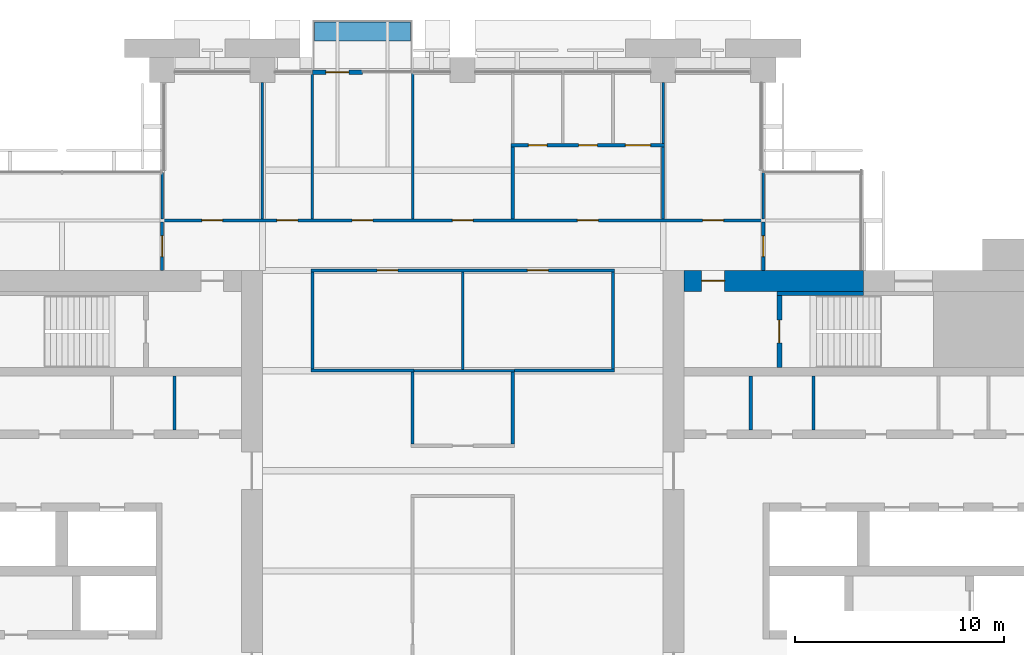
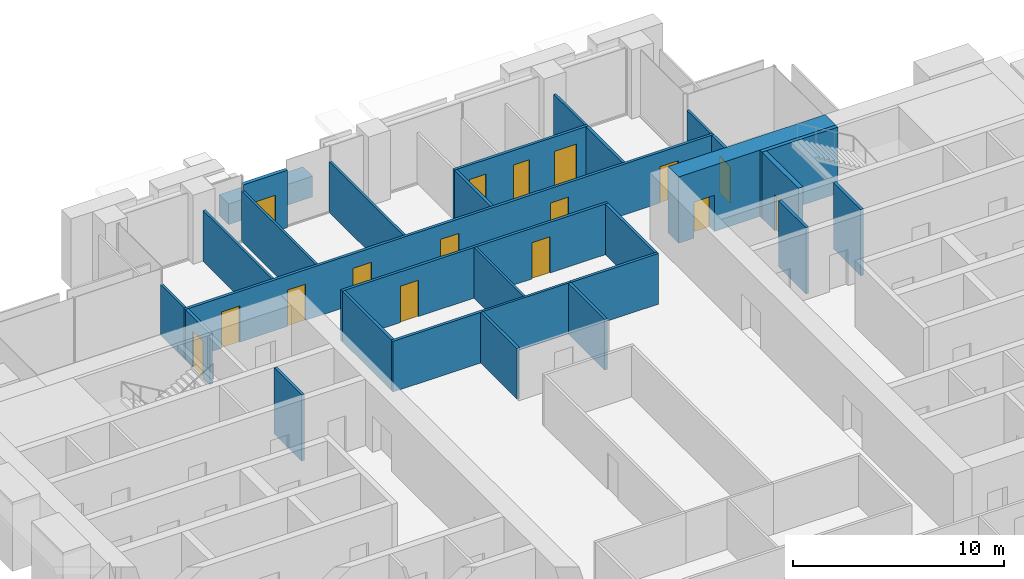
# One storey, part 12 of 15: 29 walls, 16 doors, 16 openings.
"""IFC4 building model written with IfcOpenShell, lengths in metres."""

from ifc_helpers import new_model, si_unit, direction, frame, frame_2d, origin, place, context, subcontext, project, spatial, rectangle, extrude, material, layer, layer_set, type_object, element, fill, save


model = new_model("IFC4")

# Units and contexts
model_context = context("Model", 3, precision=1e-05, world=origin(), true_north=direction((0.0, 1.0)))
body_context = subcontext(model_context, "Body", "Model", "MODEL_VIEW")
ifc_project = project(units=[si_unit("LENGTHUNIT", "METRE"), si_unit("AREAUNIT", "SQUARE_METRE"), si_unit("VOLUMEUNIT", "CUBIC_METRE"), si_unit("PLANEANGLEUNIT", "RADIAN"), si_unit("MASSUNIT", "GRAM", prefix="KILO")], contexts=[model_context])

# Site, building, storey
site_placement = place(None, origin())
site = spatial("IfcSite", under=ifc_project, at=site_placement, CompositionType="ELEMENT")
building_placement = place(site_placement, origin())
building = spatial("IfcBuilding", under=site, at=building_placement, Name="Baori Bourse Tower", CompositionType="ELEMENT")
storey_placement = place(building_placement, frame((0.0, 0.0, 152.10009765625)))
storey = spatial("IfcBuildingStorey", under=building, at=storey_placement, Name="L33", CompositionType="ELEMENT", Elevation=152.10009765625)

# Walls
ifc_material_1 = material(Name="Blockwork partition", Category="masonry")
ifc_layer_1 = layer(ifc_material_1, 0.14990234375)
ifc_layer_set_1 = layer_set([ifc_layer_1], Name="Core partition 150")
wall_type_1 = type_object("IfcWallType", Name="Core partition 150", PredefinedType="PARTITIONING", material=ifc_layer_set_1)
for number, where, z_axis, x_axis, name in (
    (1, (15.0, 30.75, 0.0), (0.0, 0.0, 1.0), (0.0, 1.0, 0.0), "Partition wall W26"),
    (2, (45.60009765625, 30.75, 0.0), (0.0, 0.0, 1.0), (0.0, 1.0, 0.0), "Partition wall E25"),
    (3, (42.60009765625, 30.75, 0.0), (0.0, 0.0, 1.0), (0.0, 1.0, 0.0), "Partition wall E26"),
):
    element("IfcWall", number, at=place(storey_placement, frame(where, z_axis=z_axis, x_axis=x_axis)), inside=storey, type_object=wall_type_1, Name=name, PredefinedType="PARTITIONING", context=body_context, shape_type="SweptSolid", body=[
        extrude(rectangle(XDim=2.60009765625, YDim=0.14990234375, at=frame_2d((1.300048828125, 0.0))), origin(), (0.0, 0.0, 1.0), 3.83984375),
    ])

# Wall, opening, door
ifc_material_2 = material(Name="Concrete f'c 60 MPa", Category="concrete")
ifc_layer_2 = layer(ifc_material_2, 1.0)
ifc_layer_set_2 = layer_set([ifc_layer_2], Name="Core wall 1000 f'c 60")
wall_type_2 = type_object("IfcWallType", Name="Core wall 1000 f'c 60", PredefinedType="SHEAR", material=ifc_layer_set_2)
wall_1_placement = place(storey_placement, frame((39.39990234375, 37.89990234375, 0.0), z_axis=(0.0, 0.0, 1.0), x_axis=(1.0, 0.0, 0.0)))
wall_1 = element("IfcWall", 4, at=wall_1_placement, inside=storey, type_object=wall_type_2, Name="Core wall E33", PredefinedType="SHEAR", context=body_context, shape_type="SweptSolid", body=[
    extrude(rectangle(XDim=8.60009765625, YDim=1.0, at=frame_2d((4.300048828125, 0.0))), origin(), (0.0, 0.0, 1.0), 3.83984375),
])
opening_1_placement = place(wall_1_placement, frame((0.85009765625, 0.0, 0.0)))
opening_1 = element("IfcOpeningElement", 5, at=opening_1_placement, cuts=wall_1, Name="Opening L33-D204", PredefinedType="OPENING", context=body_context, shape_type="SweptSolid", body=[
    extrude(rectangle(XDim=1.10009765625, YDim=2.10009765625, at=frame_2d((0.550048828125, 1.050048828125))), frame((0.0, 0.510009765625, 0.0), z_axis=(0.0, -1.0, 0.0), x_axis=(1.0, 0.0, 0.0)), (0.0, 0.0, 1.0), 1.02001953125),
])
ifc_material_3 = material(Name="Painted steel door", Category="steel")
door_type_1 = type_object("IfcDoorType", Name="Stair door 1100", OperationType="SINGLE_SWING_LEFT", PredefinedType="DOOR", material=ifc_material_3)
door_1_placement = place(opening_1_placement, origin())
door_1 = element("IfcDoor", 6, at=door_1_placement, inside=storey, type_object=door_type_1, Name="Stair vestibule door B E L33", OperationType="SINGLE_SWING_LEFT", OverallHeight=2.10009765625, OverallWidth=1.10009765625, PredefinedType="DOOR", context=body_context, shape_type="SweptSolid", body=[
    extrude(rectangle(XDim=1.10009765625, YDim=2.10009765625, at=frame_2d((0.550048828125, 1.050048828125))), frame((0.0, 0.02490234375, 0.0), z_axis=(0.0, -1.0, 0.0), x_axis=(1.0, 0.0, 0.0)), (0.0, 0.0, 1.0), 0.050048828125),
])
fill(opening_1, door_1)

# Walls
ifc_material_4 = material(Name="Gypsum board partition")
ifc_layer_3 = layer(ifc_material_4, 0.14990234375)
ifc_layer_set_3 = layer_set([ifc_layer_3], Name="Corridor partition 150")
wall_type_3 = type_object("IfcWallType", Name="Corridor partition 150", PredefinedType="PARTITIONING", material=ifc_layer_set_3)
wall_2_placement = place(storey_placement, frame((21.52490234375, 33.60009765625, 0.0), z_axis=(0.0, 0.0, 1.0), x_axis=(1.0, 0.0, 0.0)))
element("IfcWall", 7, at=wall_2_placement, inside=storey, type_object=wall_type_3, Name="Partition", PredefinedType="PARTITIONING", context=body_context, shape_type="SweptSolid", body=[
    extrude(rectangle(XDim=4.9501953125, YDim=0.14990234375, at=frame_2d((2.47509765625, 0.0))), origin(), (0.0, 0.0, 1.0), 2.935546875),
])
wall_3_placement = place(storey_placement, frame((31.27490234375, 33.60009765625, 0.0), z_axis=(0.0, 0.0, 1.0), x_axis=(1.0, 0.0, 0.0)))
element("IfcWall", 8, at=wall_3_placement, inside=storey, type_object=wall_type_3, Name="Partition", PredefinedType="PARTITIONING", context=body_context, shape_type="SweptSolid", body=[
    extrude(rectangle(XDim=4.800048828125, YDim=0.14990234375, at=frame_2d((2.39990234375, 0.0))), origin(), (0.0, 0.0, 1.0), 2.935546875),
])

# Wall, openings, doors
wall_4_placement = place(storey_placement, frame((21.52490234375, 38.39990234375, 0.0), z_axis=(0.0, 0.0, 1.0), x_axis=(1.0, 0.0, 0.0)))
wall_4 = element("IfcWall", 9, at=wall_4_placement, inside=storey, type_object=wall_type_3, Name="Partition", PredefinedType="PARTITIONING", context=body_context, shape_type="SweptSolid", body=[
    extrude(rectangle(XDim=14.550048828125, YDim=0.14990234375, at=frame_2d((7.27490234375, 0.0))), origin(), (0.0, 0.0, 1.0), 2.935546875),
])
opening_2_placement = place(wall_4_placement, frame((3.175048828125, 0.0, 0.0)))
opening_2 = element("IfcOpeningElement", 10, at=opening_2_placement, cuts=wall_4, Name="Opening L33-D10", PredefinedType="OPENING", context=body_context, shape_type="SweptSolid", body=[
    extrude(rectangle(XDim=1.0, YDim=2.10009765625, at=frame_2d((0.5, 1.050048828125))), frame((0.0, 0.0849609375, 0.0), z_axis=(0.0, -1.0, 0.0), x_axis=(1.0, 0.0, 0.0)), (0.0, 0.0, 1.0), 0.169921875),
])
opening_3_placement = place(wall_4_placement, frame((10.375, 0.0, 0.0)))
opening_3 = element("IfcOpeningElement", 11, at=opening_3_placement, cuts=wall_4, Name="Opening L33-D11", PredefinedType="OPENING", context=body_context, shape_type="SweptSolid", body=[
    extrude(rectangle(XDim=1.0, YDim=2.10009765625, at=frame_2d((0.5, 1.050048828125))), frame((0.0, 0.0849609375, 0.0), z_axis=(0.0, -1.0, 0.0), x_axis=(1.0, 0.0, 0.0)), (0.0, 0.0, 1.0), 0.169921875),
])
ifc_material_5 = material(Name="Timber door leaf", Category="wood")
door_type_2 = type_object("IfcDoorType", Name="Door 1000 x 2100", OperationType="SINGLE_SWING_LEFT", PredefinedType="DOOR", material=ifc_material_5)
door_2_placement = place(opening_2_placement, origin())
door_2 = element("IfcDoor", 12, at=door_2_placement, inside=storey, type_object=door_type_2, Name="Door", OperationType="SINGLE_SWING_LEFT", OverallHeight=2.10009765625, OverallWidth=1.0, PredefinedType="DOOR", context=body_context, shape_type="SweptSolid", body=[
    extrude(rectangle(XDim=1.0, YDim=2.10009765625, at=frame_2d((0.5, 1.050048828125))), frame((0.0, 0.02490234375, 0.0), z_axis=(0.0, -1.0, 0.0), x_axis=(1.0, 0.0, 0.0)), (0.0, 0.0, 1.0), 0.050048828125),
])
fill(opening_2, door_2)
door_3_placement = place(opening_3_placement, origin())
door_3 = element("IfcDoor", 13, at=door_3_placement, inside=storey, type_object=door_type_2, Name="Door", OperationType="SINGLE_SWING_RIGHT", OverallHeight=2.10009765625, OverallWidth=1.0, PredefinedType="DOOR", context=body_context, shape_type="SweptSolid", body=[
    extrude(rectangle(XDim=1.0, YDim=2.10009765625, at=frame_2d((0.5, 1.050048828125))), frame((0.0, 0.02490234375, 0.0), z_axis=(0.0, -1.0, 0.0), x_axis=(1.0, 0.0, 0.0)), (0.0, 0.0, 1.0), 0.050048828125),
])
fill(opening_3, door_3)

wall_5_placement = place(storey_placement, frame((14.324951171875, 40.800048828125, 0.0), z_axis=(0.0, 0.0, 1.0), x_axis=(1.0, 0.0, 0.0)))
wall_5 = element("IfcWall", 14, at=wall_5_placement, inside=storey, type_object=wall_type_3, Name="Partition", PredefinedType="PARTITIONING", context=body_context, shape_type="SweptSolid", body=[
    extrude(rectangle(XDim=28.949951171875, YDim=0.14990234375, at=frame_2d((14.47509765625, 0.0))), origin(), (0.0, 0.0, 1.0), 2.935546875),
])
opening_4_placement = place(wall_5_placement, frame((1.97509765625, 0.0, 0.0)))
opening_4 = element("IfcOpeningElement", 15, at=opening_4_placement, cuts=wall_5, Name="Opening L33-D12", PredefinedType="OPENING", context=body_context, shape_type="SweptSolid", body=[
    extrude(rectangle(XDim=1.0, YDim=2.10009765625, at=frame_2d((0.5, 1.050048828125))), frame((0.0, 0.0849609375, 0.0), z_axis=(0.0, -1.0, 0.0), x_axis=(1.0, 0.0, 0.0)), (0.0, 0.0, 1.0), 0.169921875),
])
opening_5_placement = place(wall_5_placement, frame((5.574951171875, 0.0, 0.0)))
opening_5 = element("IfcOpeningElement", 16, at=opening_5_placement, cuts=wall_5, Name="Opening L33-D13", PredefinedType="OPENING", context=body_context, shape_type="SweptSolid", body=[
    extrude(rectangle(XDim=1.0, YDim=2.10009765625, at=frame_2d((0.5, 1.050048828125))), frame((0.0, 0.0849609375, 0.0), z_axis=(0.0, -1.0, 0.0), x_axis=(1.0, 0.0, 0.0)), (0.0, 0.0, 1.0), 0.169921875),
])
opening_6_placement = place(wall_5_placement, frame((9.175048828125, 0.0, 0.0)))
opening_6 = element("IfcOpeningElement", 17, at=opening_6_placement, cuts=wall_5, Name="Opening L33-D14", PredefinedType="OPENING", context=body_context, shape_type="SweptSolid", body=[
    extrude(rectangle(XDim=1.0, YDim=2.10009765625, at=frame_2d((0.5, 1.050048828125))), frame((0.0, 0.0849609375, 0.0), z_axis=(0.0, -1.0, 0.0), x_axis=(1.0, 0.0, 0.0)), (0.0, 0.0, 1.0), 0.169921875),
])
opening_7_placement = place(wall_5_placement, frame((13.97509765625, 0.0, 0.0)))
opening_7 = element("IfcOpeningElement", 18, at=opening_7_placement, cuts=wall_5, Name="Opening L33-D15", PredefinedType="OPENING", context=body_context, shape_type="SweptSolid", body=[
    extrude(rectangle(XDim=1.0, YDim=2.10009765625, at=frame_2d((0.5, 1.050048828125))), frame((0.0, 0.0849609375, 0.0), z_axis=(0.0, -1.0, 0.0), x_axis=(1.0, 0.0, 0.0)), (0.0, 0.0, 1.0), 0.169921875),
])
opening_8_placement = place(wall_5_placement, frame((19.97509765625, 0.0, 0.0)))
opening_8 = element("IfcOpeningElement", 19, at=opening_8_placement, cuts=wall_5, Name="Opening L33-D16", PredefinedType="OPENING", context=body_context, shape_type="SweptSolid", body=[
    extrude(rectangle(XDim=1.0, YDim=2.10009765625, at=frame_2d((0.5, 1.050048828125))), frame((0.0, 0.0849609375, 0.0), z_axis=(0.0, -1.0, 0.0), x_axis=(1.0, 0.0, 0.0)), (0.0, 0.0, 1.0), 0.169921875),
])
opening_9_placement = place(wall_5_placement, frame((25.97509765625, 0.0, 0.0)))
opening_9 = element("IfcOpeningElement", 20, at=opening_9_placement, cuts=wall_5, Name="Opening L33-D17", PredefinedType="OPENING", context=body_context, shape_type="SweptSolid", body=[
    extrude(rectangle(XDim=1.0, YDim=2.10009765625, at=frame_2d((0.5, 1.050048828125))), frame((0.0, 0.0849609375, 0.0), z_axis=(0.0, -1.0, 0.0), x_axis=(1.0, 0.0, 0.0)), (0.0, 0.0, 1.0), 0.169921875),
])
door_4_placement = place(opening_4_placement, origin())
door_4 = element("IfcDoor", 21, at=door_4_placement, inside=storey, type_object=door_type_2, Name="Door", OperationType="SINGLE_SWING_RIGHT", OverallHeight=2.10009765625, OverallWidth=1.0, PredefinedType="DOOR", context=body_context, shape_type="SweptSolid", body=[
    extrude(rectangle(XDim=1.0, YDim=2.10009765625, at=frame_2d((0.5, 1.050048828125))), frame((0.0, 0.02490234375, 0.0), z_axis=(0.0, -1.0, 0.0), x_axis=(1.0, 0.0, 0.0)), (0.0, 0.0, 1.0), 0.050048828125),
])
fill(opening_4, door_4)
door_5_placement = place(opening_5_placement, origin())
door_5 = element("IfcDoor", 22, at=door_5_placement, inside=storey, type_object=door_type_2, Name="Door", OperationType="SINGLE_SWING_RIGHT", OverallHeight=2.10009765625, OverallWidth=1.0, PredefinedType="DOOR", context=body_context, shape_type="SweptSolid", body=[
    extrude(rectangle(XDim=1.0, YDim=2.10009765625, at=frame_2d((0.5, 1.050048828125))), frame((0.0, 0.02490234375, 0.0), z_axis=(0.0, -1.0, 0.0), x_axis=(1.0, 0.0, 0.0)), (0.0, 0.0, 1.0), 0.050048828125),
])
fill(opening_5, door_5)
door_6_placement = place(opening_6_placement, origin())
door_6 = element("IfcDoor", 23, at=door_6_placement, inside=storey, type_object=door_type_2, Name="Door", OperationType="SINGLE_SWING_RIGHT", OverallHeight=2.10009765625, OverallWidth=1.0, PredefinedType="DOOR", context=body_context, shape_type="SweptSolid", body=[
    extrude(rectangle(XDim=1.0, YDim=2.10009765625, at=frame_2d((0.5, 1.050048828125))), frame((0.0, 0.02490234375, 0.0), z_axis=(0.0, -1.0, 0.0), x_axis=(1.0, 0.0, 0.0)), (0.0, 0.0, 1.0), 0.050048828125),
])
fill(opening_6, door_6)
door_7_placement = place(opening_7_placement, origin())
door_7 = element("IfcDoor", 24, at=door_7_placement, inside=storey, type_object=door_type_2, Name="Door", OperationType="SINGLE_SWING_LEFT", OverallHeight=2.10009765625, OverallWidth=1.0, PredefinedType="DOOR", context=body_context, shape_type="SweptSolid", body=[
    extrude(rectangle(XDim=1.0, YDim=2.10009765625, at=frame_2d((0.5, 1.050048828125))), frame((0.0, 0.02490234375, 0.0), z_axis=(0.0, -1.0, 0.0), x_axis=(1.0, 0.0, 0.0)), (0.0, 0.0, 1.0), 0.050048828125),
])
fill(opening_7, door_7)
door_8_placement = place(opening_8_placement, origin())
door_8 = element("IfcDoor", 25, at=door_8_placement, inside=storey, type_object=door_type_2, Name="Door", OperationType="SINGLE_SWING_RIGHT", OverallHeight=2.10009765625, OverallWidth=1.0, PredefinedType="DOOR", context=body_context, shape_type="SweptSolid", body=[
    extrude(rectangle(XDim=1.0, YDim=2.10009765625, at=frame_2d((0.5, 1.050048828125))), frame((0.0, 0.02490234375, 0.0), z_axis=(0.0, -1.0, 0.0), x_axis=(1.0, 0.0, 0.0)), (0.0, 0.0, 1.0), 0.050048828125),
])
fill(opening_8, door_8)
door_9_placement = place(opening_9_placement, origin())
door_9 = element("IfcDoor", 26, at=door_9_placement, inside=storey, type_object=door_type_2, Name="Door", OperationType="SINGLE_SWING_LEFT", OverallHeight=2.10009765625, OverallWidth=1.0, PredefinedType="DOOR", context=body_context, shape_type="SweptSolid", body=[
    extrude(rectangle(XDim=1.0, YDim=2.10009765625, at=frame_2d((0.5, 1.050048828125))), frame((0.0, 0.02490234375, 0.0), z_axis=(0.0, -1.0, 0.0), x_axis=(1.0, 0.0, 0.0)), (0.0, 0.0, 1.0), 0.050048828125),
])
fill(opening_9, door_9)

wall_6_placement = place(storey_placement, frame((31.125, 44.39990234375, 0.0), z_axis=(0.0, 0.0, 1.0), x_axis=(1.0, 0.0, 0.0)))
wall_6 = element("IfcWall", 27, at=wall_6_placement, inside=storey, type_object=wall_type_3, Name="Partition", PredefinedType="PARTITIONING", context=body_context, shape_type="SweptSolid", body=[
    extrude(rectangle(XDim=7.35009765625, YDim=0.14990234375, at=frame_2d((3.675048828125, 0.0))), origin(), (0.0, 0.0, 1.0), 2.935546875),
])
opening_10_placement = place(wall_6_placement, frame((0.824951171875, 0.0, 0.0)))
opening_10 = element("IfcOpeningElement", 28, at=opening_10_placement, cuts=wall_6, Name="Opening L33-D18", PredefinedType="OPENING", context=body_context, shape_type="SweptSolid", body=[
    extrude(rectangle(XDim=0.89990234375, YDim=2.10009765625, at=frame_2d((0.449951171875, 1.050048828125))), frame((0.0, 0.0849609375, 0.0), z_axis=(0.0, -1.0, 0.0), x_axis=(1.0, 0.0, 0.0)), (0.0, 0.0, 1.0), 0.169921875),
])
opening_11_placement = place(wall_6_placement, frame((3.22509765625, 0.0, 0.0)))
opening_11 = element("IfcOpeningElement", 29, at=opening_11_placement, cuts=wall_6, Name="Opening L33-D19", PredefinedType="OPENING", context=body_context, shape_type="SweptSolid", body=[
    extrude(rectangle(XDim=0.89990234375, YDim=2.10009765625, at=frame_2d((0.449951171875, 1.050048828125))), frame((0.0, 0.0849609375, 0.0), z_axis=(0.0, -1.0, 0.0), x_axis=(1.0, 0.0, 0.0)), (0.0, 0.0, 1.0), 0.169921875),
])
opening_12_placement = place(wall_6_placement, frame((5.47509765625, 0.0, 0.0)))
opening_12 = element("IfcOpeningElement", 30, at=opening_12_placement, cuts=wall_6, Name="Opening L33-D20", PredefinedType="OPENING", context=body_context, shape_type="SweptSolid", body=[
    extrude(rectangle(XDim=1.199951171875, YDim=2.10009765625, at=frame_2d((0.60009765625, 1.050048828125))), frame((0.0, 0.0849609375, 0.0), z_axis=(0.0, -1.0, 0.0), x_axis=(1.0, 0.0, 0.0)), (0.0, 0.0, 1.0), 0.169921875),
])
ifc_material_6 = material(Name="Timber door leaf", Category="wood")
door_type_3 = type_object("IfcDoorType", Name="Door 1200 x 2100", OperationType="SINGLE_SWING_LEFT", PredefinedType="DOOR", material=ifc_material_6)
door_10_placement = place(opening_12_placement, origin())
door_10 = element("IfcDoor", 31, at=door_10_placement, inside=storey, type_object=door_type_3, Name="Door", OperationType="SINGLE_SWING_LEFT", OverallHeight=2.10009765625, OverallWidth=1.199951171875, PredefinedType="DOOR", context=body_context, shape_type="SweptSolid", body=[
    extrude(rectangle(XDim=1.199951171875, YDim=2.10009765625, at=frame_2d((0.60009765625, 1.050048828125))), frame((0.0, 0.02490234375, 0.0), z_axis=(0.0, -1.0, 0.0), x_axis=(1.0, 0.0, 0.0)), (0.0, 0.0, 1.0), 0.050048828125),
])
fill(opening_12, door_10)
ifc_material_7 = material(Name="Timber door leaf", Category="wood")
door_type_4 = type_object("IfcDoorType", Name="Door 900 x 2100", OperationType="SINGLE_SWING_LEFT", PredefinedType="DOOR", material=ifc_material_7)
door_11_placement = place(opening_10_placement, origin())
door_11 = element("IfcDoor", 32, at=door_11_placement, inside=storey, type_object=door_type_4, Name="Door", OperationType="SINGLE_SWING_RIGHT", OverallHeight=2.10009765625, OverallWidth=0.89990234375, PredefinedType="DOOR", context=body_context, shape_type="SweptSolid", body=[
    extrude(rectangle(XDim=0.89990234375, YDim=2.10009765625, at=frame_2d((0.449951171875, 1.050048828125))), frame((0.0, 0.02490234375, 0.0), z_axis=(0.0, -1.0, 0.0), x_axis=(1.0, 0.0, 0.0)), (0.0, 0.0, 1.0), 0.050048828125),
])
fill(opening_10, door_11)
door_12_placement = place(opening_11_placement, origin())
door_12 = element("IfcDoor", 33, at=door_12_placement, inside=storey, type_object=door_type_4, Name="Door", OperationType="SINGLE_SWING_RIGHT", OverallHeight=2.10009765625, OverallWidth=0.89990234375, PredefinedType="DOOR", context=body_context, shape_type="SweptSolid", body=[
    extrude(rectangle(XDim=0.89990234375, YDim=2.10009765625, at=frame_2d((0.449951171875, 1.050048828125))), frame((0.0, 0.02490234375, 0.0), z_axis=(0.0, -1.0, 0.0), x_axis=(1.0, 0.0, 0.0)), (0.0, 0.0, 1.0), 0.050048828125),
])
fill(opening_11, door_12)

# Wall, opening, door
wall_7_placement = place(storey_placement, frame((14.39990234375, 38.39990234375, 0.0), z_axis=(0.0, 0.0, 1.0), x_axis=(0.0, 1.0, 0.0)))
wall_7 = element("IfcWall", 34, at=wall_7_placement, inside=storey, type_object=wall_type_3, Name="Partition", PredefinedType="PARTITIONING", context=body_context, shape_type="SweptSolid", body=[
    extrude(rectangle(XDim=2.3251953125, YDim=0.14990234375, at=frame_2d((1.16259765625, 0.0))), origin(), (0.0, 0.0, 1.0), 2.935546875),
])
opening_13_placement = place(wall_7_placement, frame((0.66259765625, 0.0, 0.0)))
opening_13 = element("IfcOpeningElement", 35, at=opening_13_placement, cuts=wall_7, Name="Opening L33-D22", PredefinedType="OPENING", context=body_context, shape_type="SweptSolid", body=[
    extrude(rectangle(XDim=1.0, YDim=2.10009765625, at=frame_2d((0.5, 1.050048828125))), frame((0.0, 0.0849609375, 0.0), z_axis=(0.0, -1.0, 0.0), x_axis=(1.0, 0.0, 0.0)), (0.0, 0.0, 1.0), 0.169921875),
])
door_13_placement = place(opening_13_placement, origin())
door_13 = element("IfcDoor", 36, at=door_13_placement, inside=storey, type_object=door_type_2, Name="Door", OperationType="SINGLE_SWING_RIGHT", OverallHeight=2.10009765625, OverallWidth=1.0, PredefinedType="DOOR", context=body_context, shape_type="SweptSolid", body=[
    extrude(rectangle(XDim=1.0, YDim=2.10009765625, at=frame_2d((0.5, 1.050048828125))), frame((0.0, 0.02490234375, 0.0), z_axis=(0.0, -1.0, 0.0), x_axis=(1.0, 0.0, 0.0)), (0.0, 0.0, 1.0), 0.050048828125),
])
fill(opening_13, door_13)

# Walls
wall_8_placement = place(storey_placement, frame((21.60009765625, 33.675048828125, 0.0), z_axis=(0.0, 0.0, 1.0), x_axis=(0.0, 1.0, 0.0)))
element("IfcWall", 37, at=wall_8_placement, inside=storey, type_object=wall_type_3, Name="Partition", PredefinedType="PARTITIONING", context=body_context, shape_type="SweptSolid", body=[
    extrude(rectangle(XDim=4.64990234375, YDim=0.14990234375, at=frame_2d((2.324951171875, 0.0))), origin(), (0.0, 0.0, 1.0), 2.935546875),
])
for number, where, z_axis, x_axis, name in (
    (38, (26.39990234375, 30.074951171875, 0.0), (0.0, 0.0, 1.0), (0.0, 1.0, 0.0), "Partition"),
    (39, (31.199951171875, 30.074951171875, 0.0), (0.0, 0.0, 1.0), (0.0, 1.0, 0.0), "Partition"),
    (40, (31.199951171875, 40.875, 0.0), (0.0, 0.0, 1.0), (0.0, 1.0, 0.0), "Partition"),
):
    element("IfcWall", number, at=place(storey_placement, frame(where, z_axis=z_axis, x_axis=x_axis)), inside=storey, type_object=wall_type_3, Name=name, PredefinedType="PARTITIONING", context=body_context, shape_type="SweptSolid", body=[
        extrude(rectangle(XDim=3.449951171875, YDim=0.14990234375, at=frame_2d((1.72509765625, 0.0))), origin(), (0.0, 0.0, 1.0), 2.935546875),
    ])
wall_9_placement = place(storey_placement, frame((36.0, 33.675048828125, 0.0), z_axis=(0.0, 0.0, 1.0), x_axis=(0.0, 1.0, 0.0)))
element("IfcWall", 41, at=wall_9_placement, inside=storey, type_object=wall_type_3, Name="Partition", PredefinedType="PARTITIONING", context=body_context, shape_type="SweptSolid", body=[
    extrude(rectangle(XDim=4.64990234375, YDim=0.14990234375, at=frame_2d((2.324951171875, 0.0))), origin(), (0.0, 0.0, 1.0), 2.935546875),
])
wall_10_placement = place(storey_placement, frame((38.39990234375, 40.875, 0.0), z_axis=(0.0, 0.0, 1.0), x_axis=(0.0, 1.0, 0.0)))
element("IfcWall", 42, at=wall_10_placement, inside=storey, type_object=wall_type_3, Name="Partition", PredefinedType="PARTITIONING", context=body_context, shape_type="SweptSolid", body=[
    extrude(rectangle(XDim=3.449951171875, YDim=0.14990234375, at=frame_2d((1.72509765625, 0.0))), origin(), (0.0, 0.0, 1.0), 2.935546875),
])

# Wall, opening, door
wall_11_placement = place(storey_placement, frame((43.199951171875, 38.39990234375, 0.0), z_axis=(0.0, 0.0, 1.0), x_axis=(0.0, 1.0, 0.0)))
wall_11 = element("IfcWall", 43, at=wall_11_placement, inside=storey, type_object=wall_type_3, Name="Partition", PredefinedType="PARTITIONING", context=body_context, shape_type="SweptSolid", body=[
    extrude(rectangle(XDim=2.3251953125, YDim=0.14990234375, at=frame_2d((1.16259765625, 0.0))), origin(), (0.0, 0.0, 1.0), 2.935546875),
])
opening_14_placement = place(wall_11_placement, frame((0.66259765625, 0.0, 0.0)))
opening_14 = element("IfcOpeningElement", 44, at=opening_14_placement, cuts=wall_11, Name="Opening L33-D25", PredefinedType="OPENING", context=body_context, shape_type="SweptSolid", body=[
    extrude(rectangle(XDim=1.0, YDim=2.10009765625, at=frame_2d((0.5, 1.050048828125))), frame((0.0, 0.0849609375, 0.0), z_axis=(0.0, -1.0, 0.0), x_axis=(1.0, 0.0, 0.0)), (0.0, 0.0, 1.0), 0.169921875),
])
door_14_placement = place(opening_14_placement, origin())
door_14 = element("IfcDoor", 45, at=door_14_placement, inside=storey, type_object=door_type_2, Name="Door", OperationType="SINGLE_SWING_LEFT", OverallHeight=2.10009765625, OverallWidth=1.0, PredefinedType="DOOR", context=body_context, shape_type="SweptSolid", body=[
    extrude(rectangle(XDim=1.0, YDim=2.10009765625, at=frame_2d((0.5, 1.050048828125))), frame((0.0, 0.02490234375, 0.0), z_axis=(0.0, -1.0, 0.0), x_axis=(1.0, 0.0, 0.0)), (0.0, 0.0, 1.0), 0.050048828125),
])
fill(opening_14, door_14)

ifc_material_8 = material(Name="Pale anodised aluminium", Category="aluminium")
ifc_layer_4 = layer(ifc_material_8, 0.199951171875)
ifc_layer_set_4 = layer_set([ifc_layer_4], Name="EW1 External wall bay")
wall_type_4 = type_object("IfcWallType", Name="EW1 External wall bay", PredefinedType="SOLIDWALL", material=ifc_layer_set_4)
wall_12_placement = place(storey_placement, frame((24.0, 47.89990234375, 0.0), z_axis=(0.0, 0.0, 1.0), x_axis=(-1.0, 0.0, 0.0)))
wall_12 = element("IfcWall", 46, at=wall_12_placement, inside=storey, type_object=wall_type_4, Name="External wall bay L33 1", PredefinedType="SOLIDWALL", context=body_context, shape_type="SweptSolid", body=[
    extrude(rectangle(XDim=2.39990234375, YDim=0.199951171875, at=frame_2d((1.199951171875, 0.0))), origin(), (0.0, 0.0, 1.0), 3.314208984375),
])
opening_15_placement = place(wall_12_placement, frame((0.64990234375, 0.0, 0.0)))
opening_15 = element("IfcOpeningElement", 47, at=opening_15_placement, cuts=wall_12, Name="Opening L33-D91", PredefinedType="OPENING", context=body_context, shape_type="SweptSolid", body=[
    extrude(rectangle(XDim=1.10009765625, YDim=2.10009765625, at=frame_2d((0.550048828125, 1.050048828125))), frame((0.0, 0.10986328125, 0.0), z_axis=(0.0, -1.0, 0.0), x_axis=(1.0, 0.0, 0.0)), (0.0, 0.0, 1.0), 0.219970703125),
])
ifc_material_9 = material(Name="Pale anodised aluminium", Category="aluminium")
door_type_5 = type_object("IfcDoorType", Name="BL1 Balcony door", OperationType="SINGLE_SWING_LEFT", PredefinedType="DOOR", material=ifc_material_9)
door_15_placement = place(opening_15_placement, origin())
door_15 = element("IfcDoor", 48, at=door_15_placement, inside=storey, type_object=door_type_5, Name="Balcony door L33 1", OperationType="SINGLE_SWING_LEFT", OverallHeight=2.10009765625, OverallWidth=1.10009765625, PredefinedType="DOOR", context=body_context, shape_type="SweptSolid", body=[
    extrude(rectangle(XDim=1.10009765625, YDim=2.10009765625, at=frame_2d((0.550048828125, 1.050048828125))), frame((0.0, 0.02490234375, 0.0), z_axis=(0.0, -1.0, 0.0), x_axis=(1.0, 0.0, 0.0)), (0.0, 0.0, 1.0), 0.050048828125),
])
fill(opening_15, door_15)

# Walls
ifc_material_10 = material(Name="Concrete f'c 40 MPa", Category="concrete")
ifc_layer_5 = layer(ifc_material_10, 0.89990234375)
ifc_layer_set_5 = layer_set([ifc_layer_5], Name="PW1 Planter wall")
wall_type_5 = type_object("IfcWallType", Name="PW1 Planter wall", PredefinedType="USERDEFINED", material=ifc_layer_set_5)
wall_13_placement = place(storey_placement, frame((21.699951171875, 49.85009765625, 0.0), z_axis=(0.0, 0.0, 1.0), x_axis=(1.0, 0.0, 0.0)))
element("IfcWall", 49, at=wall_13_placement, inside=storey, type_object=wall_type_5, Name="Planter balcony N L33 2", ObjectType="PLANTER", PredefinedType="USERDEFINED", context=body_context, shape_type="SweptSolid", body=[
    extrude(rectangle(XDim=4.60009765625, YDim=0.89990234375, at=frame_2d((2.300048828125, 0.0))), origin(), (0.0, 0.0, 1.0), 1.199951171875),
])
ifc_material_11 = material(Name="Gypsum board partition")
ifc_layer_6 = layer(ifc_material_11, 0.125)
ifc_layer_set_6 = layer_set([ifc_layer_6], Name="Partition 125")
wall_type_6 = type_object("IfcWallType", Name="Partition 125", PredefinedType="PARTITIONING", material=ifc_layer_set_6)
wall_14_placement = place(storey_placement, frame((26.47509765625, 33.60009765625, 0.0), z_axis=(0.0, 0.0, 1.0), x_axis=(1.0, 0.0, 0.0)))
element("IfcWall", 50, at=wall_14_placement, inside=storey, type_object=wall_type_6, Name="Partition", PredefinedType="PARTITIONING", context=body_context, shape_type="SweptSolid", body=[
    extrude(rectangle(XDim=4.7998046875, YDim=0.125, at=frame_2d((2.39990234375, 0.0))), origin(), (0.0, 0.0, 1.0), 2.935546875),
])
wall_15_placement = place(storey_placement, frame((14.39990234375, 40.875, 0.0), z_axis=(0.0, 0.0, 1.0), x_axis=(0.0, 1.0, 0.0)))
element("IfcWall", 51, at=wall_15_placement, inside=storey, type_object=wall_type_6, Name="Partition", PredefinedType="PARTITIONING", context=body_context, shape_type="SweptSolid", body=[
    extrude(rectangle(XDim=2.22509765625, YDim=0.125, at=frame_2d((1.112548828125, 0.0))), origin(), (0.0, 0.0, 1.0), 2.935546875),
])
wall_16_placement = place(storey_placement, frame((19.199951171875, 40.875, 0.0), z_axis=(0.0, 0.0, 1.0), x_axis=(0.0, 1.0, 0.0)))
element("IfcWall", 52, at=wall_16_placement, inside=storey, type_object=wall_type_6, Name="Partition", PredefinedType="PARTITIONING", context=body_context, shape_type="SweptSolid", body=[
    extrude(rectangle(XDim=6.52490234375, YDim=0.125, at=frame_2d((3.262451171875, 0.0))), origin(), (0.0, 0.0, 1.0), 2.935546875),
])
for number, where, z_axis, x_axis, name in (
    (53, (21.60009765625, 40.875, 0.0), (0.0, 0.0, 1.0), (0.0, 1.0, 0.0), "Partition"),
    (54, (26.39990234375, 40.875, 0.0), (0.0, 0.0, 1.0), (0.0, 1.0, 0.0), "Partition"),
):
    element("IfcWall", number, at=place(storey_placement, frame(where, z_axis=z_axis, x_axis=x_axis)), inside=storey, type_object=wall_type_6, Name=name, PredefinedType="PARTITIONING", context=body_context, shape_type="SweptSolid", body=[
        extrude(rectangle(XDim=7.02490234375, YDim=0.125, at=frame_2d((3.512451171875, 0.0))), origin(), (0.0, 0.0, 1.0), 2.935546875),
    ])
wall_17_placement = place(storey_placement, frame((28.800048828125, 33.66259765625, 0.0), z_axis=(0.0, 0.0, 1.0), x_axis=(0.0, 1.0, 0.0)))
element("IfcWall", 55, at=wall_17_placement, inside=storey, type_object=wall_type_6, Name="Partition", PredefinedType="PARTITIONING", context=body_context, shape_type="SweptSolid", body=[
    extrude(rectangle(XDim=4.662353515625, YDim=0.125, at=frame_2d((2.3310546875, 0.0))), origin(), (0.0, 0.0, 1.0), 2.935546875),
])
wall_18_placement = place(storey_placement, frame((38.39990234375, 44.47509765625, 0.0), z_axis=(0.0, 0.0, 1.0), x_axis=(0.0, 1.0, 0.0)))
element("IfcWall", 56, at=wall_18_placement, inside=storey, type_object=wall_type_6, Name="Partition", PredefinedType="PARTITIONING", context=body_context, shape_type="SweptSolid", body=[
    extrude(rectangle(XDim=2.9248046875, YDim=0.125, at=frame_2d((1.46240234375, 0.0))), origin(), (0.0, 0.0, 1.0), 2.935546875),
])
wall_19_placement = place(storey_placement, frame((43.199951171875, 40.875, 0.0), z_axis=(0.0, 0.0, 1.0), x_axis=(0.0, 1.0, 0.0)))
element("IfcWall", 57, at=wall_19_placement, inside=storey, type_object=wall_type_6, Name="Partition", PredefinedType="PARTITIONING", context=body_context, shape_type="SweptSolid", body=[
    extrude(rectangle(XDim=2.22509765625, YDim=0.125, at=frame_2d((1.112548828125, 0.0))), origin(), (0.0, 0.0, 1.0), 2.935546875),
])
ifc_material_12 = material(Name="Concrete f'c 60 MPa", Category="concrete")
ifc_layer_7 = layer(ifc_material_12, 0.199951171875)
ifc_layer_set_7 = layer_set([ifc_layer_7], Name="Shaft wall 200 f'c 60")
wall_type_7 = type_object("IfcWallType", Name="Shaft wall 200 f'c 60", PredefinedType="SHEAR", material=ifc_layer_set_7)
wall_20_placement = place(storey_placement, frame((43.85009765625, 37.300048828125, 0.0), z_axis=(0.0, 0.0, 1.0), x_axis=(1.0, 0.0, 0.0)))
element("IfcWall", 58, at=wall_20_placement, inside=storey, type_object=wall_type_7, Name="Core wall E31", PredefinedType="SHEAR", context=body_context, shape_type="SweptSolid", body=[
    extrude(rectangle(XDim=4.14990234375, YDim=0.199951171875, at=frame_2d((2.074951171875, 0.0))), origin(), (0.0, 0.0, 1.0), 3.83984375),
])

# Wall, opening, door
ifc_material_13 = material(Name="Concrete f'c 60 MPa", Category="concrete")
ifc_layer_8 = layer(ifc_material_13, 0.25)
ifc_layer_set_8 = layer_set([ifc_layer_8], Name="Shaft wall 250 f'c 60")
wall_type_8 = type_object("IfcWallType", Name="Shaft wall 250 f'c 60", PredefinedType="SHEAR", material=ifc_layer_set_8)
wall_21_placement = place(storey_placement, frame((43.97509765625, 33.75, 0.0), z_axis=(0.0, 0.0, 1.0), x_axis=(0.0, 1.0, 0.0)))
wall_21 = element("IfcWall", 59, at=wall_21_placement, inside=storey, type_object=wall_type_8, Name="Core wall E29", PredefinedType="SHEAR", context=body_context, shape_type="SweptSolid", body=[
    extrude(rectangle(XDim=3.449951171875, YDim=0.25, at=frame_2d((1.72509765625, 0.0))), origin(), (0.0, 0.0, 1.0), 3.83984375),
])
opening_16_placement = place(wall_21_placement, frame((1.175048828125, 0.0, 0.0)))
opening_16 = element("IfcOpeningElement", 60, at=opening_16_placement, cuts=wall_21, Name="Opening L33-D203", PredefinedType="OPENING", context=body_context, shape_type="SweptSolid", body=[
    extrude(rectangle(XDim=1.10009765625, YDim=2.10009765625, at=frame_2d((0.550048828125, 1.050048828125))), frame((0.0, 0.135009765625, 0.0), z_axis=(0.0, -1.0, 0.0), x_axis=(1.0, 0.0, 0.0)), (0.0, 0.0, 1.0), 0.27001953125),
])
door_16_placement = place(opening_16_placement, origin())
door_16 = element("IfcDoor", 61, at=door_16_placement, inside=storey, type_object=door_type_1, Name="Stair door B E L33", OperationType="SINGLE_SWING_LEFT", OverallHeight=2.10009765625, OverallWidth=1.10009765625, PredefinedType="DOOR", context=body_context, shape_type="SweptSolid", body=[
    extrude(rectangle(XDim=1.10009765625, YDim=2.10009765625, at=frame_2d((0.550048828125, 1.050048828125))), frame((0.0, 0.02490234375, 0.0), z_axis=(0.0, -1.0, 0.0), x_axis=(1.0, 0.0, 0.0)), (0.0, 0.0, 1.0), 0.050048828125),
])
fill(opening_16, door_16)

save(model, "model.ifc")
